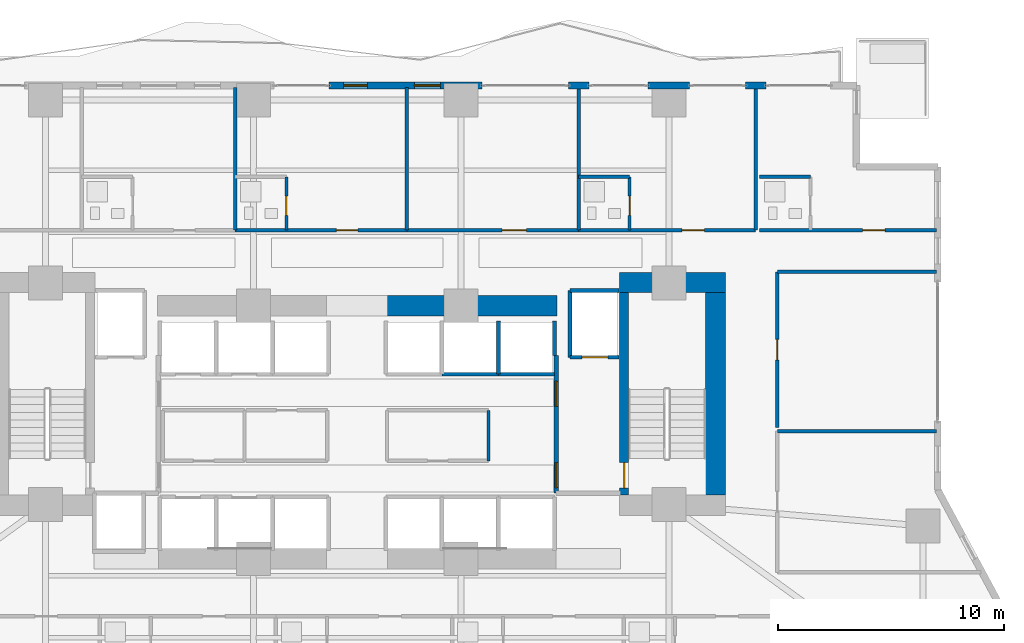
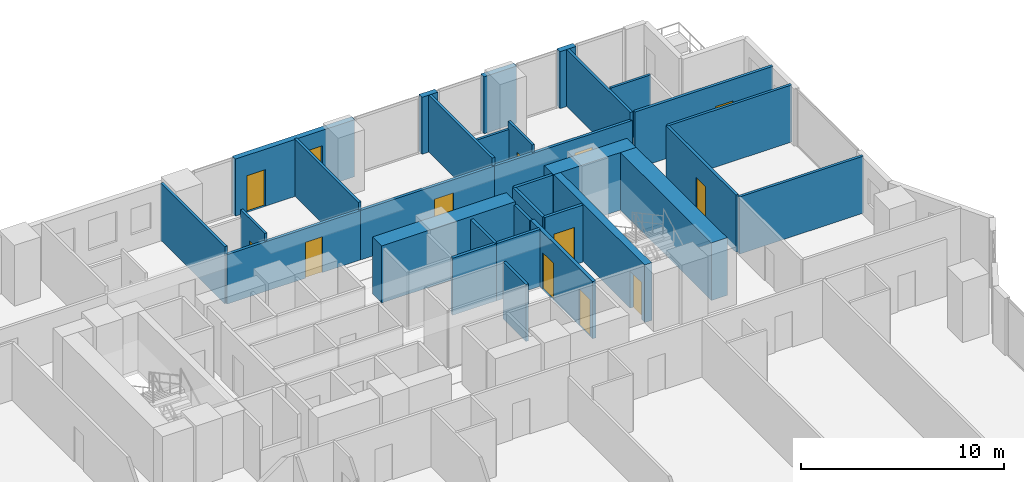
# One storey, part 22 of 28: 32 walls, 12 doors, 1 window, 13 openings.
"""IFC4 building model written with IfcOpenShell, lengths in metres."""

from ifc_helpers import new_model, si_unit, direction, frame, frame_2d, origin, place, context, subcontext, project, spatial, rectangle, extrude, material, layer, layer_set, type_object, element, fill, save


model = new_model("IFC4")

# Units and contexts
model_context = context("Model", 3, precision=1e-05, world=origin(), true_north=direction((0.0, 1.0)))
body_context = subcontext(model_context, "Body", "Model", "MODEL_VIEW")
ifc_project = project(units=[si_unit("LENGTHUNIT", "METRE"), si_unit("AREAUNIT", "SQUARE_METRE"), si_unit("VOLUMEUNIT", "CUBIC_METRE"), si_unit("PLANEANGLEUNIT", "RADIAN"), si_unit("MASSUNIT", "GRAM", prefix="KILO")], contexts=[model_context])

# Site, building, storey
site_placement = place(None, origin())
site = spatial("IfcSite", under=ifc_project, at=site_placement, CompositionType="ELEMENT")
building_placement = place(site_placement, origin())
building = spatial("IfcBuilding", under=site, at=building_placement, Name="Zuhayl Quay Hotel", CompositionType="ELEMENT")
storey_placement = place(building_placement, frame((0.0, 0.0, 49.5)))
storey = spatial("IfcBuildingStorey", under=building, at=storey_placement, Name="L11", CompositionType="ELEMENT", Elevation=49.5)

# Walls
ifc_material_1 = material(Name="Concrete C70/85", Category="concrete")
ifc_layer_1 = layer(ifc_material_1, 0.89990234375, Name="Concrete C70/85", Category="concrete")
ifc_layer_set_1 = layer_set([ifc_layer_1], Name="Concrete C70/85")
wall_type_1 = type_object("IfcWallType", Name="WL_CORE_900", PredefinedType="SHEAR", material=ifc_layer_set_1)
wall_1_placement = place(storey_placement, frame((11.60009765625, 14.3798828125, 0.0), z_axis=(0.0, 0.0, 1.0), x_axis=(1.0, 0.0, 0.0)))
element("IfcWall", 1, at=wall_1_placement, inside=storey, type_object=wall_type_1, Name="L11 Core Shear Wall CW_NE", PredefinedType="SHEAR", context=body_context, shape_type="SweptSolid", body=[
    extrude(rectangle(XDim=4.7099609375, YDim=0.89990234375, at=frame_2d((2.35498046875, 0.0))), origin(), (0.0, 0.0, 1.0), 3.4599609375),
])
wall_2_placement = place(storey_placement, frame((15.860107421875, 4.969970703125, 0.0), z_axis=(0.0, 0.0, 1.0), x_axis=(0.0, 1.0, 0.0)))
element("IfcWall", 2, at=wall_2_placement, inside=storey, type_object=wall_type_1, Name="L11 Core Shear Wall CW_E", PredefinedType="SHEAR", context=body_context, shape_type="SweptSolid", body=[
    extrude(rectangle(XDim=8.9599609375, YDim=0.89990234375, at=frame_2d((4.47998046875, 0.0))), origin(), (0.0, 0.0, 1.0), 3.4599609375),
])
wall_3_placement = place(storey_placement, frame((1.25, 13.35009765625, 0.0), z_axis=(0.0, 0.0, 1.0), x_axis=(1.0, 0.0, 0.0)))
element("IfcWall", 3, at=wall_3_placement, inside=storey, type_object=wall_type_1, Name="L11 Core Shear Wall CW_NC_E", PredefinedType="SHEAR", context=body_context, shape_type="SweptSolid", body=[
    extrude(rectangle(XDim=7.60009765625, YDim=0.89990234375, at=frame_2d((3.800048828125, 0.0))), origin(), (0.0, 0.0, 1.0), 3.429931640625),
])

# Wall, openings, door, window
ifc_material_2 = material(Name="Precast concrete C45/55", Category="concrete")
ifc_layer_2 = layer(ifc_material_2, 0.300048828125, Name="Precast concrete C45/55", Category="concrete")
ifc_layer_set_2 = layer_set([ifc_layer_2], Name="Precast concrete C45/55")
wall_type_2 = type_object("IfcWallType", Name="WL_EXT_300", PredefinedType="STANDARD", material=ifc_layer_set_2)
wall_4_placement = place(storey_placement, frame((-1.2548828125, 23.10009765625, 0.0), z_axis=(0.0, 0.0, 1.0), x_axis=(1.0, 0.0, 0.0)))
wall_4 = element("IfcWall", 4, at=wall_4_placement, inside=storey, type_object=wall_type_2, Name="L11 Exterior Precast Wall ENV_L11_N_EW3", PredefinedType="STANDARD", context=body_context, shape_type="SweptSolid", body=[
    extrude(rectangle(XDim=6.77490234375, YDim=0.300048828125, at=frame_2d((3.387451171875, 0.0))), origin(), (0.0, 0.0, 1.0), 3.429931640625),
])
opening_1_placement = place(wall_4_placement, frame((0.64990234375, 0.0, 0.0)))
opening_1 = element("IfcOpeningElement", 5, at=opening_1_placement, cuts=wall_4, Name="Opening DG1", PredefinedType="OPENING", context=body_context, shape_type="SweptSolid", body=[
    extrude(rectangle(XDim=1.050048828125, YDim=2.199951171875, at=frame_2d((0.52490234375, 1.10009765625))), frame((0.0, 0.159912109375, 0.0), z_axis=(0.0, -1.0, 0.0), x_axis=(1.0, 0.0, 0.0)), (0.0, 0.0, 1.0), 0.320068359375),
])
opening_2_placement = place(wall_4_placement, frame((3.7900390625, 0.0, 0.949951171875)))
opening_2 = element("IfcOpeningElement", 6, at=opening_2_placement, cuts=wall_4, Name="Opening W01N", PredefinedType="OPENING", context=body_context, shape_type="SweptSolid", body=[
    extrude(rectangle(XDim=1.14990234375, YDim=1.550048828125, at=frame_2d((0.574951171875, 0.77490234375))), frame((0.0, 0.159912109375, 0.0), z_axis=(0.0, -1.0, 0.0), x_axis=(1.0, 0.0, 0.0)), (0.0, 0.0, 1.0), 0.320068359375),
])
ifc_material_3 = material(Name="Anodised Aluminium and Dark Solar Glass", Category="aluminium")
door_type_1 = type_object("IfcDoorType", Name="DR_EXT_TERR_1050", OperationType="NOTDEFINED", PredefinedType="DOOR", material=ifc_material_3)
door_1_placement = place(opening_1_placement, origin())
door_1 = element("IfcDoor", 7, at=door_1_placement, inside=storey, type_object=door_type_1, Name="L11 North Rippling Balcony Door", OperationType="SINGLE_SWING_LEFT", OverallHeight=2.199951171875, OverallWidth=1.050048828125, PredefinedType="DOOR", context=body_context, shape_type="SweptSolid", body=[
    extrude(rectangle(XDim=1.050048828125, YDim=2.199951171875, at=frame_2d((0.52490234375, 1.10009765625))), frame((0.0, 0.02490234375, 0.0), z_axis=(0.0, -1.0, 0.0), x_axis=(1.0, 0.0, 0.0)), (0.0, 0.0, 1.0), 0.050048828125),
])
fill(opening_1, door_1)
ifc_material_4 = material(Name="Dark Ceramic-Fritted Solar Glass", Category="glass")
window_type = type_object("IfcWindowType", Name="WN_NOTCH_1350", PartitioningType="SINGLE_PANEL", PredefinedType="WINDOW", material=ifc_material_4)
window_placement = place(opening_2_placement, origin())
window = element("IfcWindow", 8, at=window_placement, inside=storey, type_object=window_type, Name="L11 Operable Facade Window 3-1", OverallHeight=1.550048828125, OverallWidth=1.14990234375, PartitioningType="SINGLE_PANEL", PredefinedType="WINDOW", context=body_context, shape_type="SweptSolid", body=[
    extrude(rectangle(XDim=1.14990234375, YDim=1.550048828125, at=frame_2d((0.574951171875, 0.77490234375))), frame((0.0, 0.030029296875, 0.0), z_axis=(0.0, -1.0, 0.0), x_axis=(1.0, 0.0, 0.0)), (0.0, 0.0, 1.0), 0.06005859375),
])
fill(opening_2, window)

# Walls
wall_5_placement = place(storey_placement, frame((9.35009765625, 23.10009765625, 0.0), z_axis=(0.0, 0.0, 1.0), x_axis=(1.0, 0.0, 0.0)))
element("IfcWall", 9, at=wall_5_placement, inside=storey, type_object=wall_type_2, Name="L11 Exterior Precast Wall ENV_L11_N_EW4", PredefinedType="STANDARD", context=body_context, shape_type="SweptSolid", body=[
    extrude(rectangle(XDim=0.89990234375, YDim=0.300048828125, at=frame_2d((0.449951171875, 0.0))), origin(), (0.0, 0.0, 1.0), 3.429931640625),
])
wall_6_placement = place(storey_placement, frame((12.8798828125, 23.10009765625, 0.0), z_axis=(0.0, 0.0, 1.0), x_axis=(1.0, 0.0, 0.0)))
element("IfcWall", 10, at=wall_6_placement, inside=storey, type_object=wall_type_2, Name="L11 Exterior Precast Wall ENV_L11_N_EW5", PredefinedType="STANDARD", context=body_context, shape_type="SweptSolid", body=[
    extrude(rectangle(XDim=1.840087890625, YDim=0.300048828125, at=frame_2d((0.919921875, 0.0))), origin(), (0.0, 0.0, 1.0), 3.429931640625),
])
wall_7_placement = place(storey_placement, frame((17.18994140625, 23.10009765625, 0.0), z_axis=(0.0, 0.0, 1.0), x_axis=(1.0, 0.0, 0.0)))
element("IfcWall", 11, at=wall_7_placement, inside=storey, type_object=wall_type_2, Name="L11 Exterior Precast Wall ENV_L11_N_EW6", PredefinedType="STANDARD", context=body_context, shape_type="SweptSolid", body=[
    extrude(rectangle(XDim=0.900146484375, YDim=0.300048828125, at=frame_2d((0.4501953125, 0.0))), origin(), (0.0, 0.0, 1.0), 3.429931640625),
])
ifc_material_5 = material(Name="Acoustic Gypsum Partition STC-58")
ifc_layer_3 = layer(ifc_material_5, 0.14990234375, Name="Acoustic Gypsum Partition STC-58")
ifc_layer_set_3 = layer_set([ifc_layer_3], Name="Acoustic Gypsum Partition STC-58")
wall_type_3 = type_object("IfcWallType", Name="WL_PART_150", PredefinedType="PARTITIONING", material=ifc_layer_set_3)
wall_8_placement = place(storey_placement, frame((5.81005859375, 6.47998046875, 0.0), z_axis=(0.0, 0.0, 1.0), x_axis=(0.0, 1.0, 0.0)))
element("IfcWall", 12, at=wall_8_placement, inside=storey, type_object=wall_type_3, Name="L11 Partition IW_L11_CORE_PN_E", PredefinedType="PARTITIONING", context=body_context, shape_type="SweptSolid", body=[
    extrude(rectangle(XDim=2.239990234375, YDim=0.14990234375, at=frame_2d((1.1201171875, 0.0))), origin(), (0.0, 0.0, 1.0), 3.429931640625),
])
for number, where, z_axis, x_axis, name in (
    (13, (-5.39990234375, 16.699951171875, 0.0), (0.0, 0.0, 1.0), (0.0, 1.0, 0.0), "L11 Partition IW_L11_NU02_E"),
    (14, (2.199951171875, 16.699951171875, 0.0), (0.0, 0.0, 1.0), (0.0, 1.0, 0.0), "L11 Partition IW_L11_NU03_E"),
):
    element("IfcWall", number, at=place(storey_placement, frame(where, z_axis=z_axis, x_axis=x_axis)), inside=storey, type_object=wall_type_3, Name=name, PredefinedType="PARTITIONING", context=body_context, shape_type="SweptSolid", body=[
        extrude(rectangle(XDim=6.320068359375, YDim=0.14990234375, at=frame_2d((3.16015625, 0.0))), origin(), (0.0, 0.0, 1.0), 3.429931640625),
    ])
wall_9_placement = place(storey_placement, frame((9.800048828125, 16.699951171875, 0.0), z_axis=(0.0, 0.0, 1.0), x_axis=(0.0, 1.0, 0.0)))
element("IfcWall", 15, at=wall_9_placement, inside=storey, type_object=wall_type_3, Name="L11 Partition IW_L11_NSAL_3_E", PredefinedType="PARTITIONING", context=body_context, shape_type="SweptSolid", body=[
    extrude(rectangle(XDim=6.340087890625, YDim=0.14990234375, at=frame_2d((3.169921875, 0.0))), origin(), (0.0, 0.0, 1.0), 3.429931640625),
])
wall_10_placement = place(storey_placement, frame((17.639892578125, 16.699951171875, 0.0), z_axis=(0.0, 0.0, 1.0), x_axis=(0.0, 1.0, 0.0)))
element("IfcWall", 16, at=wall_10_placement, inside=storey, type_object=wall_type_3, Name="L11 Partition IW_L11_NU05A_E", PredefinedType="PARTITIONING", context=body_context, shape_type="SweptSolid", body=[
    extrude(rectangle(XDim=6.320068359375, YDim=0.14990234375, at=frame_2d((3.16015625, 0.0))), origin(), (0.0, 0.0, 1.0), 3.429931640625),
])
for number, where, z_axis, x_axis, name in (
    (17, (18.60009765625, 7.800048828125, 0.0), (0.0, 0.0, 1.0), (1.0, 0.0, 0.0), "L11 Partition IW_L11_HK_MAIN_N"),
    (18, (18.60009765625, 14.85009765625, 0.0), (0.0, 0.0, 1.0), (1.0, 0.0, 0.0), "L11 Partition IW_L11_EFLK_2_N"),
):
    element("IfcWall", number, at=place(storey_placement, frame(where, z_axis=z_axis, x_axis=x_axis)), inside=storey, type_object=wall_type_3, Name=name, PredefinedType="PARTITIONING", context=body_context, shape_type="SweptSolid", body=[
        extrude(rectangle(XDim=7.039794921875, YDim=0.14990234375, at=frame_2d((3.52001953125, 0.0))), origin(), (0.0, 0.0, 1.0), 3.429931640625),
    ])

# Wall, opening, door
ifc_layer_4 = layer(ifc_material_5, 0.159912109375, Name="Acoustic Gypsum Partition STC-58")
ifc_layer_set_4 = layer_set([ifc_layer_4], Name="Acoustic Gypsum Partition STC-58")
wall_type_4 = type_object("IfcWallType", Name="WL_PART_CORR_160", PredefinedType="PARTITIONING", material=ifc_layer_set_4)
wall_11_placement = place(storey_placement, frame((-5.39990234375, 16.699951171875, 0.0), z_axis=(0.0, 0.0, 1.0), x_axis=(1.0, 0.0, 0.0)))
wall_11 = element("IfcWall", 19, at=wall_11_placement, inside=storey, type_object=wall_type_4, Name="L11 Partition IW_L11_NU03_COR", PredefinedType="PARTITIONING", context=body_context, shape_type="SweptSolid", body=[
    extrude(rectangle(XDim=7.599853515625, YDim=0.159912109375, at=frame_2d((3.7998046875, 0.0))), origin(), (0.0, 0.0, 1.0), 2.972900390625),
])
opening_3_placement = place(wall_11_placement, frame((4.47509765625, 0.0, 0.0)))
opening_3 = element("IfcOpeningElement", 20, at=opening_3_placement, cuts=wall_11, Name="Opening D03", PredefinedType="OPENING", context=body_context, shape_type="SweptSolid", body=[
    extrude(rectangle(XDim=0.949951171875, YDim=2.14990234375, at=frame_2d((0.47509765625, 1.074951171875))), frame((0.0, 0.08984375, 0.0), z_axis=(0.0, -1.0, 0.0), x_axis=(1.0, 0.0, 0.0)), (0.0, 0.0, 1.0), 0.179931640625),
])
ifc_material_6 = material(Name="Solid Walnut Acoustic Fire Door")
door_type_2 = type_object("IfcDoorType", Name="DR_SUITE_950", OperationType="NOTDEFINED", PredefinedType="DOOR", material=ifc_material_6)
door_2_placement = place(opening_3_placement, origin())
door_2 = element("IfcDoor", 21, at=door_2_placement, inside=storey, type_object=door_type_2, Name="L11 Deluxe Gulf Guest Room L11-03 Entrance Door", OperationType="SINGLE_SWING_RIGHT", OverallHeight=2.14990234375, OverallWidth=0.949951171875, PredefinedType="DOOR", context=body_context, shape_type="SweptSolid", body=[
    extrude(rectangle(XDim=0.949951171875, YDim=2.14990234375, at=frame_2d((0.47509765625, 1.074951171875))), frame((0.0, 0.02490234375, 0.0), z_axis=(0.0, -1.0, 0.0), x_axis=(1.0, 0.0, 0.0)), (0.0, 0.0, 1.0), 0.050048828125),
])
fill(opening_3, door_2)

wall_12_placement = place(storey_placement, frame((2.199951171875, 16.699951171875, 0.0), z_axis=(0.0, 0.0, 1.0), x_axis=(1.0, 0.0, 0.0)))
wall_12 = element("IfcWall", 22, at=wall_12_placement, inside=storey, type_object=wall_type_4, Name="L11 Partition IW_L11_NSAL_3_S", PredefinedType="PARTITIONING", context=body_context, shape_type="SweptSolid", body=[
    extrude(rectangle(XDim=7.60009765625, YDim=0.159912109375, at=frame_2d((3.800048828125, 0.0))), origin(), (0.0, 0.0, 1.0), 2.972900390625),
])
opening_4_placement = place(wall_12_placement, frame((4.2099609375, 0.0, 0.0)))
opening_4 = element("IfcOpeningElement", 23, at=opening_4_placement, cuts=wall_12, Name="Opening D05A", PredefinedType="OPENING", context=body_context, shape_type="SweptSolid", body=[
    extrude(rectangle(XDim=1.080078125, YDim=2.179931640625, at=frame_2d((0.5400390625, 1.08984375))), frame((0.0, 0.08984375, 0.0), z_axis=(0.0, -1.0, 0.0), x_axis=(1.0, 0.0, 0.0)), (0.0, 0.0, 1.0), 0.179931640625),
])
door_type_3 = type_object("IfcDoorType", Name="DR_INT_1100", OperationType="NOTDEFINED", PredefinedType="DOOR", material=ifc_material_6)
door_3_placement = place(opening_4_placement, origin())
door_3 = element("IfcDoor", 24, at=door_3_placement, inside=storey, type_object=door_type_3, Name="L11 Club Breakfast Salon Door", OperationType="SINGLE_SWING_LEFT", OverallHeight=2.179931640625, OverallWidth=1.080078125, PredefinedType="DOOR", context=body_context, shape_type="SweptSolid", body=[
    extrude(rectangle(XDim=1.080078125, YDim=2.179931640625, at=frame_2d((0.5400390625, 1.08984375))), frame((0.0, 0.02490234375, 0.0), z_axis=(0.0, -1.0, 0.0), x_axis=(1.0, 0.0, 0.0)), (0.0, 0.0, 1.0), 0.050048828125),
])
fill(opening_4, door_3)

wall_13_placement = place(storey_placement, frame((9.800048828125, 16.699951171875, 0.0), z_axis=(0.0, 0.0, 1.0), x_axis=(1.0, 0.0, 0.0)))
wall_13 = element("IfcWall", 25, at=wall_13_placement, inside=storey, type_object=wall_type_4, Name="L11 Partition IW_L11_NU05A_COR", PredefinedType="PARTITIONING", context=body_context, shape_type="SweptSolid", body=[
    extrude(rectangle(XDim=7.83984375, YDim=0.159912109375, at=frame_2d((3.919921875, 0.0))), origin(), (0.0, 0.0, 1.0), 2.972900390625),
])
opening_5_placement = place(wall_13_placement, frame((4.570068359375, 0.0, 0.0)))
opening_5 = element("IfcOpeningElement", 26, at=opening_5_placement, cuts=wall_13, Name="Opening D03L", PredefinedType="OPENING", context=body_context, shape_type="SweptSolid", body=[
    extrude(rectangle(XDim=1.0, YDim=2.14990234375, at=frame_2d((0.5, 1.074951171875))), frame((0.0, 0.08984375, 0.0), z_axis=(0.0, -1.0, 0.0), x_axis=(1.0, 0.0, 0.0)), (0.0, 0.0, 1.0), 0.179931640625),
])
door_type_4 = type_object("IfcDoorType", Name="DR_SUITE_1000", OperationType="NOTDEFINED", PredefinedType="DOOR", material=ifc_material_6)
door_4_placement = place(opening_5_placement, origin())
door_4 = element("IfcDoor", 27, at=door_4_placement, inside=storey, type_object=door_type_4, Name="L11 Deluxe Gulf Guest Room L11-05A Entrance Door", OperationType="SINGLE_SWING_LEFT", OverallHeight=2.14990234375, OverallWidth=1.0, PredefinedType="DOOR", context=body_context, shape_type="SweptSolid", body=[
    extrude(rectangle(XDim=1.0, YDim=2.14990234375, at=frame_2d((0.5, 1.074951171875))), frame((0.0, 0.02490234375, 0.0), z_axis=(0.0, -1.0, 0.0), x_axis=(1.0, 0.0, 0.0)), (0.0, 0.0, 1.0), 0.050048828125),
])
fill(opening_5, door_4)

wall_14_placement = place(storey_placement, frame((17.800048828125, 16.699951171875, 0.0), z_axis=(0.0, 0.0, 1.0), x_axis=(1.0, 0.0, 0.0)))
wall_14 = element("IfcWall", 28, at=wall_14_placement, inside=storey, type_object=wall_type_4, Name="L11 Partition IW_L11_NU05B_COR", PredefinedType="PARTITIONING", context=body_context, shape_type="SweptSolid", body=[
    extrude(rectangle(XDim=7.83984375, YDim=0.159912109375, at=frame_2d((3.919921875, 0.0))), origin(), (0.0, 0.0, 1.0), 3.429931640625),
])
opening_6_placement = place(wall_14_placement, frame((4.570068359375, 0.0, 0.0)))
opening_6 = element("IfcOpeningElement", 29, at=opening_6_placement, cuts=wall_14, Name="Opening D03L", PredefinedType="OPENING", context=body_context, shape_type="SweptSolid", body=[
    extrude(rectangle(XDim=1.0, YDim=2.14990234375, at=frame_2d((0.5, 1.074951171875))), frame((0.0, 0.08984375, 0.0), z_axis=(0.0, -1.0, 0.0), x_axis=(1.0, 0.0, 0.0)), (0.0, 0.0, 1.0), 0.179931640625),
])
door_5_placement = place(opening_6_placement, origin())
door_5 = element("IfcDoor", 30, at=door_5_placement, inside=storey, type_object=door_type_4, Name="L11 Deluxe Gulf Guest Room L11-05B Entrance Door", OperationType="SINGLE_SWING_LEFT", OverallHeight=2.14990234375, OverallWidth=1.0, PredefinedType="DOOR", context=body_context, shape_type="SweptSolid", body=[
    extrude(rectangle(XDim=1.0, YDim=2.14990234375, at=frame_2d((0.5, 1.074951171875))), frame((0.0, 0.02490234375, 0.0), z_axis=(0.0, -1.0, 0.0), x_axis=(1.0, 0.0, 0.0)), (0.0, 0.0, 1.0), 0.050048828125),
])
fill(opening_6, door_5)

wall_15_placement = place(storey_placement, frame((18.60009765625, 7.9599609375, 0.0), z_axis=(0.0, 0.0, 1.0), x_axis=(0.0, 1.0, 0.0)))
wall_15 = element("IfcWall", 31, at=wall_15_placement, inside=storey, type_object=wall_type_4, Name="L11 Partition IW_L11_EFLK_2_W", PredefinedType="PARTITIONING", context=body_context, shape_type="SweptSolid", body=[
    extrude(rectangle(XDim=6.89013671875, YDim=0.159912109375, at=frame_2d((3.445068359375, 0.0))), origin(), (0.0, 0.0, 1.0), 3.429931640625),
])
opening_7_placement = place(wall_15_placement, frame((2.985107421875, 0.0, 0.0)))
opening_7 = element("IfcOpeningElement", 32, at=opening_7_placement, cuts=wall_15, Name="Opening D05", PredefinedType="OPENING", context=body_context, shape_type="SweptSolid", body=[
    extrude(rectangle(XDim=0.919921875, YDim=2.1201171875, at=frame_2d((0.4599609375, 1.06005859375))), frame((0.0, 0.08984375, 0.0), z_axis=(0.0, -1.0, 0.0), x_axis=(1.0, 0.0, 0.0)), (0.0, 0.0, 1.0), 0.179931640625),
])
door_type_5 = type_object("IfcDoorType", Name="DR_INT_950", OperationType="NOTDEFINED", PredefinedType="DOOR", material=ifc_material_6)
door_6_placement = place(opening_7_placement, origin())
door_6 = element("IfcDoor", 33, at=door_6_placement, inside=storey, type_object=door_type_5, Name="L11 Floor Beverage and Ice Pantry Door", OperationType="SINGLE_SWING_LEFT", OverallHeight=2.1201171875, OverallWidth=0.919921875, PredefinedType="DOOR", context=body_context, shape_type="SweptSolid", body=[
    extrude(rectangle(XDim=0.919921875, YDim=2.1201171875, at=frame_2d((0.4599609375, 1.06005859375))), frame((0.0, 0.02490234375, 0.0), z_axis=(0.0, -1.0, 0.0), x_axis=(1.0, 0.0, 0.0)), (0.0, 0.0, 1.0), 0.050048828125),
])
fill(opening_7, door_6)

ifc_material_7 = material(Name="Moisture-Resistant Sanitarychase Gypsum")
ifc_layer_5 = layer(ifc_material_7, 0.135009765625, Name="Moisture-Resistant Sanitarychase Gypsum")
ifc_layer_set_5 = layer_set([ifc_layer_5], Name="Moisture-Resistant Sanitarychase Gypsum")
wall_type_5 = type_object("IfcWallType", Name="WL_PART_PLUMB_150", PredefinedType="PLUMBINGWALL", material=ifc_layer_set_5)
wall_16_placement = place(storey_placement, frame((-3.139892578125, 16.699951171875, 0.0), z_axis=(0.0, 0.0, 1.0), x_axis=(0.0, 1.0, 0.0)))
wall_16 = element("IfcWall", 34, at=wall_16_placement, inside=storey, type_object=wall_type_5, Name="L11 Partition IW_L11_NU03_BE", PredefinedType="PLUMBINGWALL", context=body_context, shape_type="SweptSolid", body=[
    extrude(rectangle(XDim=2.360107421875, YDim=0.135009765625, at=frame_2d((1.18017578125, 0.0))), origin(), (0.0, 0.0, 1.0), 3.429931640625),
])
opening_8_placement = place(wall_16_placement, frame((0.64990234375, 0.0, 0.0)))
opening_8 = element("IfcOpeningElement", 35, at=opening_8_placement, cuts=wall_16, Name="Opening D04", PredefinedType="OPENING", context=body_context, shape_type="SweptSolid", body=[
    extrude(rectangle(XDim=0.85009765625, YDim=2.10009765625, at=frame_2d((0.425048828125, 1.050048828125))), frame((0.0, 0.077392578125, 0.0), z_axis=(0.0, -1.0, 0.0), x_axis=(1.0, 0.0, 0.0)), (0.0, 0.0, 1.0), 0.155029296875),
])
ifc_material_8 = material(Name="Moisture-Resistant Walnut Veneer")
door_type_6 = type_object("IfcDoorType", Name="DR_BATH_850", OperationType="NOTDEFINED", PredefinedType="DOOR", material=ifc_material_8)
door_7_placement = place(opening_8_placement, origin())
door_7 = element("IfcDoor", 36, at=door_7_placement, inside=storey, type_object=door_type_6, Name="L11 Deluxe Gulf Guest Room L11-03 En-Suite Door", OperationType="SINGLE_SWING_LEFT", OverallHeight=2.10009765625, OverallWidth=0.85009765625, PredefinedType="DOOR", context=body_context, shape_type="SweptSolid", body=[
    extrude(rectangle(XDim=0.85009765625, YDim=2.10009765625, at=frame_2d((0.425048828125, 1.050048828125))), frame((0.0, 0.02490234375, 0.0), z_axis=(0.0, -1.0, 0.0), x_axis=(1.0, 0.0, 0.0)), (0.0, 0.0, 1.0), 0.050048828125),
])
fill(opening_8, door_7)

wall_17_placement = place(storey_placement, frame((12.06005859375, 16.699951171875, 0.0), z_axis=(0.0, 0.0, 1.0), x_axis=(0.0, 1.0, 0.0)))
wall_17 = element("IfcWall", 37, at=wall_17_placement, inside=storey, type_object=wall_type_5, Name="L11 Partition IW_L11_NU05A_BE", PredefinedType="PLUMBINGWALL", context=body_context, shape_type="SweptSolid", body=[
    extrude(rectangle(XDim=2.360107421875, YDim=0.135009765625, at=frame_2d((1.18017578125, 0.0))), origin(), (0.0, 0.0, 1.0), 3.429931640625),
])
opening_9_placement = place(wall_17_placement, frame((0.64990234375, 0.0, 0.0)))
opening_9 = element("IfcOpeningElement", 38, at=opening_9_placement, cuts=wall_17, Name="Opening D04", PredefinedType="OPENING", context=body_context, shape_type="SweptSolid", body=[
    extrude(rectangle(XDim=0.85009765625, YDim=2.10009765625, at=frame_2d((0.425048828125, 1.050048828125))), frame((0.0, 0.077392578125, 0.0), z_axis=(0.0, -1.0, 0.0), x_axis=(1.0, 0.0, 0.0)), (0.0, 0.0, 1.0), 0.155029296875),
])
door_8_placement = place(opening_9_placement, origin())
door_8 = element("IfcDoor", 39, at=door_8_placement, inside=storey, type_object=door_type_6, Name="L11 Deluxe Gulf Guest Room L11-05A En-Suite Door", OperationType="SINGLE_SWING_RIGHT", OverallHeight=2.10009765625, OverallWidth=0.85009765625, PredefinedType="DOOR", context=body_context, shape_type="SweptSolid", body=[
    extrude(rectangle(XDim=0.85009765625, YDim=2.10009765625, at=frame_2d((0.425048828125, 1.050048828125))), frame((0.0, 0.02490234375, 0.0), z_axis=(0.0, -1.0, 0.0), x_axis=(1.0, 0.0, 0.0)), (0.0, 0.0, 1.0), 0.050048828125),
])
fill(opening_9, door_8)

# Walls
wall_18_placement = place(storey_placement, frame((9.800048828125, 19.06005859375, 0.0), z_axis=(0.0, 0.0, 1.0), x_axis=(1.0, 0.0, 0.0)))
element("IfcWall", 40, at=wall_18_placement, inside=storey, type_object=wall_type_5, Name="L11 Partition IW_L11_NU05A_BN", PredefinedType="PLUMBINGWALL", context=body_context, shape_type="SweptSolid", body=[
    extrude(rectangle(XDim=2.260009765625, YDim=0.135009765625, at=frame_2d((1.1298828125, 0.0))), origin(), (0.0, 0.0, 1.0), 2.972900390625),
])
wall_19_placement = place(storey_placement, frame((17.800048828125, 19.06005859375, 0.0), z_axis=(0.0, 0.0, 1.0), x_axis=(1.0, 0.0, 0.0)))
element("IfcWall", 41, at=wall_19_placement, inside=storey, type_object=wall_type_5, Name="L11 Partition IW_L11_NU05B_BN", PredefinedType="PLUMBINGWALL", context=body_context, shape_type="SweptSolid", body=[
    extrude(rectangle(XDim=2.260009765625, YDim=0.135009765625, at=frame_2d((1.1298828125, 0.0))), origin(), (0.0, 0.0, 1.0), 3.429931640625),
])

# Wall, opening, door
ifc_material_9 = material(Name="Gypsum Fireboard Assembly EI-90")
ifc_layer_6 = layer(ifc_material_9, 0.1650390625, Name="Gypsum Fireboard Assembly EI-90")
ifc_layer_set_6 = layer_set([ifc_layer_6], Name="Gypsum Fireboard Assembly EI-90")
wall_type_6 = type_object("IfcWallType", Name="WL_PART_SHAFT_160", PredefinedType="PARTITIONING", material=ifc_layer_set_6)
wall_20_placement = place(storey_placement, frame((9.419921875, 11.070068359375, 0.0), z_axis=(0.0, 0.0, 1.0), x_axis=(1.0, 0.0, 0.0)))
wall_20 = element("IfcWall", 42, at=wall_20_placement, inside=storey, type_object=wall_type_6, Name="L11 Partition IW_L11_SH_FL2_F", PredefinedType="PARTITIONING", context=body_context, shape_type="SweptSolid", body=[
    extrude(rectangle(XDim=2.16015625, YDim=0.1650390625, at=frame_2d((1.080078125, 0.0))), origin(), (0.0, 0.0, 1.0), 3.429931640625),
])
opening_10_placement = place(wall_20_placement, frame((0.530029296875, 0.0, 0.0)))
opening_10 = element("IfcOpeningElement", 43, at=opening_10_placement, cuts=wall_20, Name="Opening LD2", PredefinedType="OPENING", context=body_context, shape_type="SweptSolid", body=[
    extrude(rectangle(XDim=1.14990234375, YDim=2.25, at=frame_2d((0.574951171875, 1.125))), frame((0.0, 0.092529296875, 0.0), z_axis=(0.0, -1.0, 0.0), x_axis=(1.0, 0.0, 0.0)), (0.0, 0.0, 1.0), 0.18505859375),
])
ifc_material_10 = material(Name="Brushed Stainless Steel", Category="steel")
door_type_7 = type_object("IfcDoorType", Name="DR_LIFT_FF_1100", OperationType="SLIDING_TO_LEFT", PredefinedType="DOOR", material=ifc_material_10)
door_9_placement = place(opening_10_placement, origin())
door_9 = element("IfcDoor", 44, at=door_9_placement, inside=storey, type_object=door_type_7, Name="L11 Lift FL2 Sliding Landing Door", OperationType="SLIDING_TO_LEFT", OverallHeight=2.25, OverallWidth=1.14990234375, PredefinedType="DOOR", context=body_context, shape_type="SweptSolid", body=[
    extrude(rectangle(XDim=1.14990234375, YDim=2.25, at=frame_2d((0.574951171875, 1.125))), frame((0.0, 0.02490234375, 0.0), z_axis=(0.0, -1.0, 0.0), x_axis=(1.0, 0.0, 0.0)), (0.0, 0.0, 1.0), 0.050048828125),
])
fill(opening_10, door_9)

# Walls
wall_21_placement = place(storey_placement, frame((9.419921875, 11.070068359375, 0.0), z_axis=(0.0, 0.0, 1.0), x_axis=(0.0, 1.0, 0.0)))
element("IfcWall", 45, at=wall_21_placement, inside=storey, type_object=wall_type_6, Name="L11 Partition IW_L11_SH_FL2_W", PredefinedType="PARTITIONING", context=body_context, shape_type="SweptSolid", body=[
    extrude(rectangle(XDim=2.9599609375, YDim=0.1650390625, at=frame_2d((1.47998046875, 0.0))), origin(), (0.0, 0.0, 1.0), 3.429931640625),
])
wall_22_placement = place(storey_placement, frame((9.419921875, 14.030029296875, 0.0), z_axis=(0.0, 0.0, 1.0), x_axis=(1.0, 0.0, 0.0)))
element("IfcWall", 46, at=wall_22_placement, inside=storey, type_object=wall_type_6, Name="L11 Partition IW_L11_SH_FL2_B", PredefinedType="PARTITIONING", context=body_context, shape_type="SweptSolid", body=[
    extrude(rectangle(XDim=2.16015625, YDim=0.1650390625, at=frame_2d((1.080078125, 0.0))), origin(), (0.0, 0.0, 1.0), 3.429931640625),
])
wall_23_placement = place(storey_placement, frame((3.75, 10.320068359375, 0.0), z_axis=(0.0, 0.0, 1.0), x_axis=(1.0, 0.0, 0.0)))
element("IfcWall", 47, at=wall_23_placement, inside=storey, type_object=wall_type_6, Name="L11 Partition IW_L11_SH_HP3_F", PredefinedType="PARTITIONING", context=body_context, shape_type="SweptSolid", body=[
    extrude(rectangle(XDim=2.5, YDim=0.1650390625, at=frame_2d((1.25, 0.0))), origin(), (0.0, 0.0, 1.0), 3.429931640625),
])
wall_24_placement = place(storey_placement, frame((6.25, 10.320068359375, 0.0), z_axis=(0.0, 0.0, 1.0), x_axis=(0.0, 1.0, 0.0)))
element("IfcWall", 48, at=wall_24_placement, inside=storey, type_object=wall_type_6, Name="L11 Partition IW_L11_SH_HP3_E", PredefinedType="PARTITIONING", context=body_context, shape_type="SweptSolid", body=[
    extrude(rectangle(XDim=2.35986328125, YDim=0.1650390625, at=frame_2d((1.179931640625, 0.0))), origin(), (0.0, 0.0, 1.0), 3.429931640625),
])
wall_25_placement = place(storey_placement, frame((6.25, 10.320068359375, 0.0), z_axis=(0.0, 0.0, 1.0), x_axis=(1.0, 0.0, 0.0)))
element("IfcWall", 49, at=wall_25_placement, inside=storey, type_object=wall_type_6, Name="L11 Partition IW_L11_SH_HP4_F", PredefinedType="PARTITIONING", context=body_context, shape_type="SweptSolid", body=[
    extrude(rectangle(XDim=2.47998046875, YDim=0.1650390625, at=frame_2d((1.239990234375, 0.0))), origin(), (0.0, 0.0, 1.0), 3.429931640625),
])
wall_26_placement = place(storey_placement, frame((8.72998046875, 11.14990234375, 0.0), z_axis=(0.0, 0.0, 1.0), x_axis=(0.0, 1.0, 0.0)))
element("IfcWall", 50, at=wall_26_placement, inside=storey, type_object=wall_type_6, Name="L11 Partition IW_L11_SH_HP4_E", PredefinedType="PARTITIONING", context=body_context, shape_type="SweptSolid", body=[
    extrude(rectangle(XDim=1.530029296875, YDim=0.1650390625, at=frame_2d((0.76513671875, 0.0))), origin(), (0.0, 0.0, 1.0), 3.429931640625),
])

# Wall, openings, doors
ifc_material_11 = material(Name="Gypsum Fireboard Assembly EI-120")
ifc_layer_7 = layer(ifc_material_11, 0.199951171875, Name="Gypsum Fireboard Assembly EI-120")
ifc_layer_set_7 = layer_set([ifc_layer_7], Name="Gypsum Fireboard Assembly EI-120")
wall_type_7 = type_object("IfcWallType", Name="WL_PART_SHAFT_200", PredefinedType="PARTITIONING", material=ifc_layer_set_7)
wall_27_placement = place(storey_placement, frame((8.800048828125, 11.14990234375, 0.0), z_axis=(0.0, 0.0, 1.0), x_axis=(0.0, -1.0, 0.0)))
wall_27 = element("IfcWall", 51, at=wall_27_placement, inside=storey, type_object=wall_type_7, Name="L11 Partition IW_L11_FSAE_E_W", PredefinedType="PARTITIONING", context=body_context, shape_type="SweptSolid", body=[
    extrude(rectangle(XDim=6.099853515625, YDim=0.199951171875, at=frame_2d((3.0498046875, 0.0))), origin(), (0.0, 0.0, 1.0), 3.429931640625),
])
opening_11_placement = place(wall_27_placement, frame((1.14990234375, 0.0, 0.0)))
opening_11 = element("IfcOpeningElement", 52, at=opening_11_placement, cuts=wall_27, Name="Opening D02", PredefinedType="OPENING", context=body_context, shape_type="SweptSolid", body=[
    extrude(rectangle(XDim=1.10009765625, YDim=2.199951171875, at=frame_2d((0.550048828125, 1.10009765625))), frame((0.0, 0.10986328125, 0.0), z_axis=(0.0, -1.0, 0.0), x_axis=(1.0, 0.0, 0.0)), (0.0, 0.0, 1.0), 0.219970703125),
])
opening_12_placement = place(wall_27_placement, frame((4.75, 0.0, 0.0)))
opening_12 = element("IfcOpeningElement", 53, at=opening_12_placement, cuts=wall_27, Name="Opening D02", PredefinedType="OPENING", context=body_context, shape_type="SweptSolid", body=[
    extrude(rectangle(XDim=1.10009765625, YDim=2.199951171875, at=frame_2d((0.550048828125, 1.10009765625))), frame((0.0, 0.10986328125, 0.0), z_axis=(0.0, -1.0, 0.0), x_axis=(1.0, 0.0, 0.0)), (0.0, 0.0, 1.0), 0.219970703125),
])
ifc_material_12 = material(Name="Steel ASTM A992 Grade 50", Category="steel")
door_type_8 = type_object("IfcDoorType", Name="DR_FIRE_90_1100", OperationType="NOTDEFINED", PredefinedType="DOOR", material=ifc_material_12)
door_10_placement = place(opening_11_placement, origin())
door_10 = element("IfcDoor", 54, at=door_10_placement, inside=storey, type_object=door_type_8, Name="L11 FSAE Lobby East North Entry Door", OperationType="SINGLE_SWING_RIGHT", OverallHeight=2.199951171875, OverallWidth=1.10009765625, PredefinedType="DOOR", context=body_context, shape_type="SweptSolid", body=[
    extrude(rectangle(XDim=1.10009765625, YDim=2.199951171875, at=frame_2d((0.550048828125, 1.10009765625))), frame((0.0, 0.02490234375, 0.0), z_axis=(0.0, -1.0, 0.0), x_axis=(1.0, 0.0, 0.0)), (0.0, 0.0, 1.0), 0.050048828125),
])
fill(opening_11, door_10)
door_11_placement = place(opening_12_placement, origin())
door_11 = element("IfcDoor", 55, at=door_11_placement, inside=storey, type_object=door_type_8, Name="L11 FSAE Lobby East South Entry Door", OperationType="SINGLE_SWING_LEFT", OverallHeight=2.199951171875, OverallWidth=1.10009765625, PredefinedType="DOOR", context=body_context, shape_type="SweptSolid", body=[
    extrude(rectangle(XDim=1.10009765625, YDim=2.199951171875, at=frame_2d((0.550048828125, 1.10009765625))), frame((0.0, 0.02490234375, 0.0), z_axis=(0.0, -1.0, 0.0), x_axis=(1.0, 0.0, 0.0)), (0.0, 0.0, 1.0), 0.050048828125),
])
fill(opening_12, door_11)

# Wall, opening, door
ifc_material_13 = material(Name="Concrete C60/75", Category="concrete")
ifc_layer_8 = layer(ifc_material_13, 0.39990234375, Name="Concrete C60/75", Category="concrete")
ifc_layer_set_8 = layer_set([ifc_layer_8], Name="Concrete C60/75")
wall_type_8 = type_object("IfcWallType", Name="WL_STAIR_400", PredefinedType="SHEAR", material=ifc_layer_set_8)
wall_28_placement = place(storey_placement, frame((11.820068359375, 13.929931640625, 0.0), z_axis=(0.0, 0.0, 1.0), x_axis=(0.0, -1.0, 0.0)))
wall_28 = element("IfcWall", 56, at=wall_28_placement, inside=storey, type_object=wall_type_8, Name="L11 Core Shear Wall SW_ST2", PredefinedType="SHEAR", context=body_context, shape_type="SweptSolid", body=[
    extrude(rectangle(XDim=8.9599609375, YDim=0.39990234375, at=frame_2d((4.47998046875, 0.0))), origin(), (0.0, 0.0, 1.0), 3.4599609375),
])
opening_13_placement = place(wall_28_placement, frame((7.530029296875, 0.0, 0.0)))
opening_13 = element("IfcOpeningElement", 57, at=opening_13_placement, cuts=wall_28, Name="Opening D01", PredefinedType="OPENING", context=body_context, shape_type="SweptSolid", body=[
    extrude(rectangle(XDim=1.1201171875, YDim=2.219970703125, at=frame_2d((0.56005859375, 1.10986328125))), frame((0.0, 0.2099609375, 0.0), z_axis=(0.0, -1.0, 0.0), x_axis=(1.0, 0.0, 0.0)), (0.0, 0.0, 1.0), 0.419921875),
])
door_type_9 = type_object("IfcDoorType", Name="DR_STAIR_90_1100", OperationType="NOTDEFINED", PredefinedType="DOOR", material=ifc_material_12)
door_12_placement = place(opening_13_placement, origin())
door_12 = element("IfcDoor", 58, at=door_12_placement, inside=storey, type_object=door_type_9, Name="L11 Smokeproof Exit Stair ST2 Door", OperationType="SINGLE_SWING_RIGHT", OverallHeight=2.219970703125, OverallWidth=1.1201171875, PredefinedType="DOOR", context=body_context, shape_type="SweptSolid", body=[
    extrude(rectangle(XDim=1.1201171875, YDim=2.219970703125, at=frame_2d((0.56005859375, 1.10986328125))), frame((0.0, 0.02490234375, 0.0), z_axis=(0.0, -1.0, 0.0), x_axis=(1.0, 0.0, 0.0)), (0.0, 0.0, 1.0), 0.050048828125),
])
fill(opening_13, door_12)

save(model, "model.ifc")
